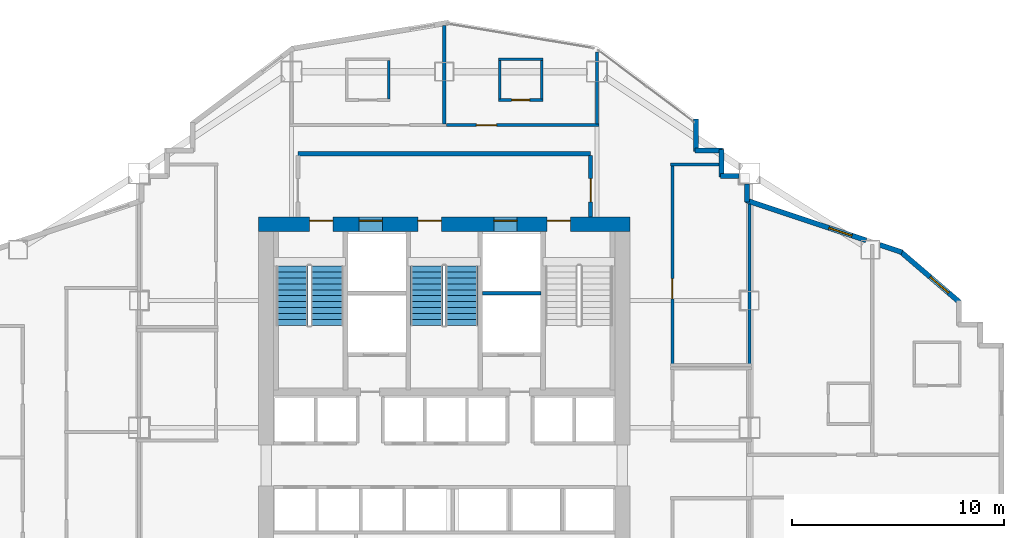
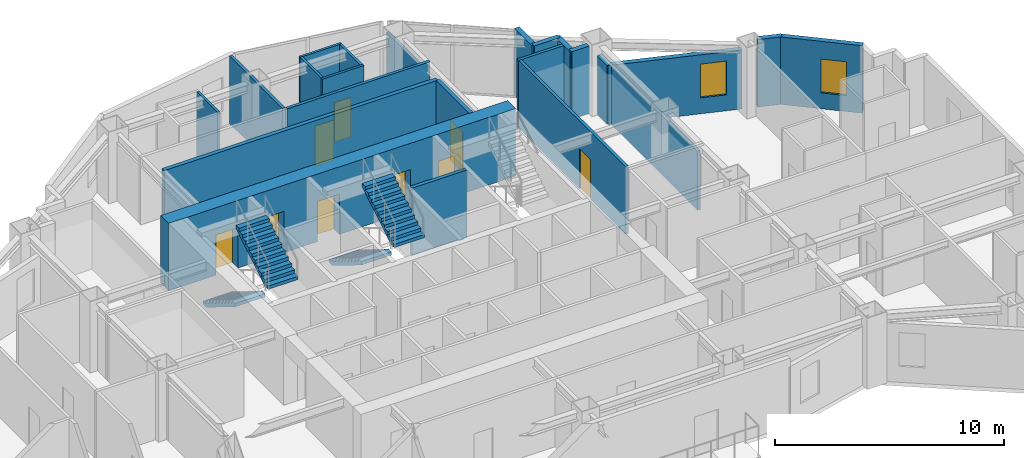
# One storey, part 10 of 14: 23 walls, 9 doors, 4 stair flights, 2 windows, 11 openings, 2 elements without a shape of their own.
"""IFC4 building model written with IfcOpenShell, lengths in metres."""

from ifc_helpers import new_model, si_unit, direction, frame, frame_2d, origin, place, context, subcontext, project, spatial, polyline, rectangle, outline, extrude, material, layer, layer_set, type_object, element, fill, aggregate, save


model = new_model("IFC4")

# Units and contexts
model_context = context("Model", 3, precision=1e-05, world=origin(), true_north=direction((0.0, 1.0)))
body_context = subcontext(model_context, "Body", "Model", "MODEL_VIEW")
ifc_project = project(units=[si_unit("LENGTHUNIT", "METRE"), si_unit("AREAUNIT", "SQUARE_METRE"), si_unit("VOLUMEUNIT", "CUBIC_METRE"), si_unit("PLANEANGLEUNIT", "RADIAN"), si_unit("MASSUNIT", "GRAM", prefix="KILO")], contexts=[model_context])

# Site, building, storey
site_placement = place(None, origin())
site = spatial("IfcSite", under=ifc_project, at=site_placement, CompositionType="ELEMENT")
building_placement = place(site_placement, origin())
building = spatial("IfcBuilding", under=site, at=building_placement, Name="Haolan Belvedere Tower", CompositionType="ELEMENT")
storey_placement = place(building_placement, frame((0.0, 0.0, 98.39990234375)))
storey = spatial("IfcBuildingStorey", under=building, at=storey_placement, Name="L24", CompositionType="ELEMENT", Elevation=98.39990234375)

# Wall, openings, doors
ifc_material_1 = material(Name="Concrete C60/75", Category="concrete")
ifc_layer_1 = layer(ifc_material_1, 0.699951171875, Name="Concrete C60/75")
ifc_layer_set_1 = layer_set([ifc_layer_1], Name="Concrete C60/75")
wall_type_1 = type_object("IfcWallType", Name="WL-CORE-700", PredefinedType="SHEAR", material=ifc_layer_set_1)
wall_1_placement = place(storey_placement, frame((29.64990234375, 43.199951171875, 0.0), z_axis=(0.0, 0.0, 1.0), x_axis=(1.0, 0.0, 0.0)))
wall_1 = element("IfcWall", 1, at=wall_1_placement, inside=storey, type_object=wall_type_1, Name="L24 central core north shear wall", PredefinedType="SHEAR", context=body_context, shape_type="SweptSolid", body=[
    extrude(rectangle(XDim=17.5, YDim=0.699951171875, at=frame_2d((8.75, 0.0))), origin(), (0.0, 0.0, 1.0), 3.60009765625),
])
opening_1_placement = place(wall_1_placement, frame((2.39990234375, 0.0, 0.0)))
opening_1 = element("IfcOpeningElement", 2, at=opening_1_placement, cuts=wall_1, Name="Opening FD-03", PredefinedType="OPENING", context=body_context, shape_type="SweptSolid", body=[
    extrude(rectangle(XDim=1.10009765625, YDim=2.14990234375, at=frame_2d((0.550048828125, 1.074951171875))), frame((0.0, 0.35986328125, 0.0), z_axis=(0.0, -1.0, 0.0), x_axis=(1.0, 0.0, 0.0)), (0.0, 0.0, 1.0), 0.719970703125),
])
opening_2_placement = place(wall_1_placement, frame((7.510009765625, 0.0, 0.0)))
opening_2 = element("IfcOpeningElement", 3, at=opening_2_placement, cuts=wall_1, Name="Opening FD-03", PredefinedType="OPENING", context=body_context, shape_type="SweptSolid", body=[
    extrude(rectangle(XDim=1.10009765625, YDim=2.14990234375, at=frame_2d((0.550048828125, 1.074951171875))), frame((0.0, 0.35986328125, 0.0), z_axis=(0.0, -1.0, 0.0), x_axis=(1.0, 0.0, 0.0)), (0.0, 0.0, 1.0), 0.719970703125),
])
opening_3_placement = place(wall_1_placement, frame((13.60009765625, 0.0, 0.0)))
opening_3 = element("IfcOpeningElement", 4, at=opening_3_placement, cuts=wall_1, Name="Opening FD-03", PredefinedType="OPENING", context=body_context, shape_type="SweptSolid", body=[
    extrude(rectangle(XDim=1.10009765625, YDim=2.14990234375, at=frame_2d((0.550048828125, 1.074951171875))), frame((0.0, 0.35986328125, 0.0), z_axis=(0.0, -1.0, 0.0), x_axis=(1.0, 0.0, 0.0)), (0.0, 0.0, 1.0), 0.719970703125),
])
opening_4_placement = place(wall_1_placement, frame((4.72998046875, 0.0, 0.0)))
opening_4 = element("IfcOpeningElement", 5, at=opening_4_placement, cuts=wall_1, Name="Opening LD-01", PredefinedType="OPENING", context=body_context, shape_type="SweptSolid", body=[
    extrude(rectangle(XDim=1.10009765625, YDim=2.199951171875, at=frame_2d((0.550048828125, 1.10009765625))), frame((0.0, 0.35986328125, 0.0), z_axis=(0.0, -1.0, 0.0), x_axis=(1.0, 0.0, 0.0)), (0.0, 0.0, 1.0), 0.719970703125),
])
opening_5_placement = place(wall_1_placement, frame((11.090087890625, 0.0, 0.0)))
opening_5 = element("IfcOpeningElement", 6, at=opening_5_placement, cuts=wall_1, Name="Opening LD-01", PredefinedType="OPENING", context=body_context, shape_type="SweptSolid", body=[
    extrude(rectangle(XDim=1.10009765625, YDim=2.199951171875, at=frame_2d((0.550048828125, 1.10009765625))), frame((0.0, 0.35986328125, 0.0), z_axis=(0.0, -1.0, 0.0), x_axis=(1.0, 0.0, 0.0)), (0.0, 0.0, 1.0), 0.719970703125),
])
ifc_material_2 = material(Name="Galvanised fire-rated steel", Category="steel")
door_type_1 = type_object("IfcDoorType", Name="DR-FD90-1100", OperationType="NOTDEFINED", PredefinedType="DOOR", material=ifc_material_2)
door_1_placement = place(opening_1_placement, origin())
door_1 = element("IfcDoor", 7, at=door_1_placement, inside=storey, type_object=door_type_1, Name="L24 door CD-L24-ST1", OperationType="SINGLE_SWING_LEFT", OverallHeight=2.14990234375, OverallWidth=1.10009765625, PredefinedType="DOOR", context=body_context, shape_type="SweptSolid", body=[
    extrude(rectangle(XDim=1.10009765625, YDim=2.14990234375, at=frame_2d((0.550048828125, 1.074951171875))), frame((0.0, 0.18505859375, 0.0), z_axis=(0.0, -1.0, 0.0), x_axis=(1.0, 0.0, 0.0)), (0.0, 0.0, 1.0), 0.050048828125),
])
fill(opening_1, door_1)
door_2_placement = place(opening_2_placement, origin())
door_2 = element("IfcDoor", 8, at=door_2_placement, inside=storey, type_object=door_type_1, Name="L24 door CD-L24-ST3", OperationType="SINGLE_SWING_LEFT", OverallHeight=2.14990234375, OverallWidth=1.10009765625, PredefinedType="DOOR", context=body_context, shape_type="SweptSolid", body=[
    extrude(rectangle(XDim=1.10009765625, YDim=2.14990234375, at=frame_2d((0.550048828125, 1.074951171875))), frame((0.0, 0.18505859375, 0.0), z_axis=(0.0, -1.0, 0.0), x_axis=(1.0, 0.0, 0.0)), (0.0, 0.0, 1.0), 0.050048828125),
])
fill(opening_2, door_2)
door_3_placement = place(opening_3_placement, origin())
door_3 = element("IfcDoor", 9, at=door_3_placement, inside=storey, type_object=door_type_1, Name="L24 door CD-L24-ST2", OperationType="SINGLE_SWING_RIGHT", OverallHeight=2.14990234375, OverallWidth=1.10009765625, PredefinedType="DOOR", context=body_context, shape_type="SweptSolid", body=[
    extrude(rectangle(XDim=1.10009765625, YDim=2.14990234375, at=frame_2d((0.550048828125, 1.074951171875))), frame((0.0, 0.18505859375, 0.0), z_axis=(0.0, -1.0, 0.0), x_axis=(1.0, 0.0, 0.0)), (0.0, 0.0, 1.0), 0.050048828125),
])
fill(opening_3, door_3)
ifc_material_3 = material(Name="Brushed champagne stainless steel 316L", Category="steel")
door_type_2 = type_object("IfcDoorType", Name="DR-LIFT-1100", OperationType="SLIDING_TO_LEFT", PredefinedType="DOOR", material=ifc_material_3)
door_4_placement = place(opening_4_placement, origin())
door_4 = element("IfcDoor", 10, at=door_4_placement, inside=storey, type_object=door_type_2, Name="L24 door LD-L24-FF1", OperationType="SLIDING_TO_LEFT", OverallHeight=2.199951171875, OverallWidth=1.10009765625, PredefinedType="DOOR", context=body_context, shape_type="SweptSolid", body=[
    extrude(rectangle(XDim=1.10009765625, YDim=2.199951171875, at=frame_2d((0.550048828125, 1.10009765625))), frame((0.0, 0.18505859375, 0.0), z_axis=(0.0, -1.0, 0.0), x_axis=(1.0, 0.0, 0.0)), (0.0, 0.0, 1.0), 0.050048828125),
])
fill(opening_4, door_4)
door_5_placement = place(opening_5_placement, origin())
door_5 = element("IfcDoor", 11, at=door_5_placement, inside=storey, type_object=door_type_2, Name="L24 door LD-L24-FF2", OperationType="SLIDING_TO_LEFT", OverallHeight=2.199951171875, OverallWidth=1.10009765625, PredefinedType="DOOR", context=body_context, shape_type="SweptSolid", body=[
    extrude(rectangle(XDim=1.10009765625, YDim=2.199951171875, at=frame_2d((0.550048828125, 1.10009765625))), frame((0.0, 0.18505859375, 0.0), z_axis=(0.0, -1.0, 0.0), x_axis=(1.0, 0.0, 0.0)), (0.0, 0.0, 1.0), 0.050048828125),
])
fill(opening_5, door_5)

# Wall, opening, window
ifc_material_4 = material(Name="Precast concrete C40/50", Category="concrete")
ifc_layer_2 = layer(ifc_material_4, 0.239990234375, Name="Precast concrete C40/50")
ifc_layer_set_2 = layer_set([ifc_layer_2], Name="Precast concrete C40/50")
wall_type_2 = type_object("IfcWallType", Name="WL-EXT-240", PredefinedType="SOLIDWALL", material=ifc_layer_set_2)
wall_2_placement = place(storey_placement, frame((62.7216796875, 39.509033203125, 0.0), z_axis=(0.0, 0.0, 1.0), x_axis=(-0.759247334792, 0.650802185469, 0.0)))
wall_2 = element("IfcWall", 12, at=wall_2_placement, inside=storey, type_object=wall_type_2, Name="L24 pale-metal exterior spandrel wall 19.1", PredefinedType="SOLIDWALL", context=body_context, shape_type="SweptSolid", body=[
    extrude(rectangle(XDim=3.71923828125, YDim=0.239990234375, at=frame_2d((1.859619140625, 0.0))), origin(), (0.0, 0.0, 1.0), 3.60009765625),
])
opening_6_placement = place(wall_2_placement, frame((0.699951171875, 0.0, 0.85009765625)))
opening_6 = element("IfcOpeningElement", 13, at=opening_6_placement, cuts=wall_2, Name="Opening W-02", PredefinedType="OPENING", context=body_context, shape_type="SweptSolid", body=[
    extrude(rectangle(XDim=1.14990234375, YDim=1.800048828125, at=frame_2d((0.574951171875, 0.89990234375))), frame((0.0, 0.1298828125, 0.0), z_axis=(0.0, -1.0, 0.0), x_axis=(1.0, 0.0, 0.0)), (0.0, 0.0, 1.0), 0.260009765625),
])
ifc_material_5 = material(Name="Anodised aluminium 6063-T6 and Low-E glass", Category="aluminium")
window_type = type_object("IfcWindowType", Name="WN-DECO-Z2", PartitioningType="SINGLE_PANEL", PredefinedType="WINDOW", material=ifc_material_5)
window_1_placement = place(opening_6_placement, origin())
window_1 = element("IfcWindow", 14, at=window_1_placement, inside=storey, type_object=window_type, Name="L24 Art Deco chevron window 1", OverallHeight=1.800048828125, OverallWidth=1.14990234375, PartitioningType="SINGLE_PANEL", PredefinedType="WINDOW", context=body_context, shape_type="SweptSolid", body=[
    extrude(rectangle(XDim=1.14990234375, YDim=1.800048828125, at=frame_2d((0.574951171875, 0.89990234375))), frame((0.0, 0.030029296875, 0.0), z_axis=(0.0, -1.0, 0.0), x_axis=(1.0, 0.0, 0.0)), (0.0, 0.0, 1.0), 0.06005859375),
])
fill(opening_6, window_1)

# Wall
wall_3_placement = place(storey_placement, frame((59.991943359375, 41.876220703125, 0.0), z_axis=(0.0, 0.0, 1.0), x_axis=(-0.948661238983, 0.316293935527, 0.0)))
element("IfcWall", 15, at=wall_3_placement, inside=storey, type_object=wall_type_2, Name="L24 pale-metal exterior spandrel wall 20.1", PredefinedType="SOLIDWALL", context=body_context, shape_type="SweptSolid", body=[
    extrude(rectangle(XDim=1.10693359375, YDim=0.239990234375, at=frame_2d((0.553466796875, 0.0))), origin(), (0.0, 0.0, 1.0), 3.60009765625),
])

# Wall, opening, window
wall_4_placement = place(storey_placement, frame((58.294677734375, 42.44189453125, 0.0), z_axis=(0.0, 0.0, 1.0), x_axis=(-0.948687385027, 0.316215504823, 0.0)))
wall_4 = element("IfcWall", 16, at=wall_4_placement, inside=storey, type_object=wall_type_2, Name="L24 pale-metal exterior spandrel wall 20.2", PredefinedType="SOLIDWALL", context=body_context, shape_type="SweptSolid", body=[
    extrude(rectangle(XDim=5.973388671875, YDim=0.239990234375, at=frame_2d((2.98681640625, 0.0))), origin(), (0.0, 0.0, 1.0), 3.14501953125),
])
opening_7_placement = place(wall_4_placement, frame((0.699951171875, 0.0, 0.85009765625)))
opening_7 = element("IfcOpeningElement", 17, at=opening_7_placement, cuts=wall_4, Name="Opening W-02", PredefinedType="OPENING", context=body_context, shape_type="SweptSolid", body=[
    extrude(rectangle(XDim=1.14990234375, YDim=1.800048828125, at=frame_2d((0.574951171875, 0.89990234375))), frame((0.0, 0.1298828125, 0.0), z_axis=(0.0, -1.0, 0.0), x_axis=(1.0, 0.0, 0.0)), (0.0, 0.0, 1.0), 0.260009765625),
])
window_2_placement = place(opening_7_placement, origin())
window_2 = element("IfcWindow", 18, at=window_2_placement, inside=storey, type_object=window_type, Name="L24 Art Deco chevron window 1", OverallHeight=1.800048828125, OverallWidth=1.14990234375, PartitioningType="SINGLE_PANEL", PredefinedType="WINDOW", context=body_context, shape_type="SweptSolid", body=[
    extrude(rectangle(XDim=1.14990234375, YDim=1.800048828125, at=frame_2d((0.574951171875, 0.89990234375))), frame((0.0, 0.030029296875, 0.0), z_axis=(0.0, -1.0, 0.0), x_axis=(1.0, 0.0, 0.0)), (0.0, 0.0, 1.0), 0.06005859375),
])
fill(opening_7, window_2)

# Walls
wall_5_placement = place(storey_placement, frame((52.679931640625, 44.258544921875, 0.0), z_axis=(0.0, 0.0, 1.0), x_axis=(0.0, 1.0, 0.0)))
element("IfcWall", 19, at=wall_5_placement, inside=storey, type_object=wall_type_2, Name="L24 pale-metal exterior spandrel wall 21.1", PredefinedType="SOLIDWALL", context=body_context, shape_type="SweptSolid", body=[
    extrude(rectangle(XDim=0.849365234375, YDim=0.239990234375, at=frame_2d((0.4248046875, 0.0))), origin(), (0.0, 0.0, 1.0), 3.14501953125),
])
wall_6_placement = place(storey_placement, frame((52.30810546875, 45.47998046875, 0.0), z_axis=(0.0, 0.0, 1.0), x_axis=(-1.0, 0.0, 0.0)))
element("IfcWall", 20, at=wall_6_placement, inside=storey, type_object=wall_type_2, Name="L24 pale-metal exterior spandrel wall 22.1", PredefinedType="SOLIDWALL", context=body_context, shape_type="SweptSolid", body=[
    extrude(rectangle(XDim=0.883056640625, YDim=0.239990234375, at=frame_2d((0.44140625, 0.0))), origin(), (0.0, 0.0, 1.0), 3.60009765625),
])
wall_7_placement = place(storey_placement, frame((51.47998046875, 45.425048828125, 0.0), z_axis=(0.0, 0.0, 1.0), x_axis=(0.0, 1.0, 0.0)))
element("IfcWall", 21, at=wall_7_placement, inside=storey, type_object=wall_type_2, Name="L24 pale-metal exterior spandrel wall 23.1", PredefinedType="SOLIDWALL", context=body_context, shape_type="SweptSolid", body=[
    extrude(rectangle(XDim=1.31005859375, YDim=0.239990234375, at=frame_2d((0.655029296875, 0.0))), origin(), (0.0, 0.0, 1.0), 3.60009765625),
])
wall_8_placement = place(storey_placement, frame((51.534912109375, 46.679931640625, 0.0), z_axis=(0.0, 0.0, 1.0), x_axis=(-1.0, 0.0, 0.0)))
element("IfcWall", 22, at=wall_8_placement, inside=storey, type_object=wall_type_2, Name="L24 pale-metal exterior spandrel wall 24.1", PredefinedType="SOLIDWALL", context=body_context, shape_type="SweptSolid", body=[
    extrude(rectangle(XDim=1.309814453125, YDim=0.239990234375, at=frame_2d((0.65478515625, 0.0))), origin(), (0.0, 0.0, 1.0), 3.60009765625),
])
wall_9_placement = place(storey_placement, frame((50.280029296875, 46.625, 0.0), z_axis=(0.0, 0.0, 1.0), x_axis=(0.0, 1.0, 0.0)))
element("IfcWall", 23, at=wall_9_placement, inside=storey, type_object=wall_type_2, Name="L24 pale-metal exterior spandrel wall 25.1", PredefinedType="SOLIDWALL", context=body_context, shape_type="SweptSolid", body=[
    extrude(rectangle(XDim=1.5400390625, YDim=0.239990234375, at=frame_2d((0.77001953125, 0.0))), origin(), (0.0, 0.0, 1.0), 3.60009765625),
])
ifc_material_6 = material(Name="Concrete C40/50", Category="concrete")
ifc_layer_3 = layer(ifc_material_6, 0.199951171875, Name="Concrete C40/50")
ifc_layer_set_3 = layer_set([ifc_layer_3], Name="Concrete C40/50")
wall_type_3 = type_object("IfcWallType", Name="WL-FIRE-200", PredefinedType="SOLIDWALL", material=ifc_layer_set_3)
wall_10_placement = place(storey_placement, frame((31.5, 46.52001953125, 0.0), z_axis=(0.0, 0.0, 1.0), x_axis=(1.0, 0.0, 0.0)))
element("IfcWall", 24, at=wall_10_placement, inside=storey, type_object=wall_type_3, Name="L24 interior partition IW-L24-FFL-N", PredefinedType="SOLIDWALL", context=body_context, shape_type="SweptSolid", body=[
    extrude(rectangle(XDim=13.800048828125, YDim=0.199951171875, at=frame_2d((6.89990234375, 0.0))), origin(), (0.0, 0.0, 1.0), 3.60009765625),
])

# Wall, opening, door
wall_11_placement = place(storey_placement, frame((45.300048828125, 43.550048828125, 0.0), z_axis=(0.0, 0.0, 1.0), x_axis=(0.0, 1.0, 0.0)))
wall_11 = element("IfcWall", 25, at=wall_11_placement, inside=storey, type_object=wall_type_3, Name="L24 interior partition IW-L24-FFL-E", PredefinedType="SOLIDWALL", context=body_context, shape_type="SweptSolid", body=[
    extrude(rectangle(XDim=2.885009765625, YDim=0.199951171875, at=frame_2d((1.4423828125, 0.0))), origin(), (0.0, 0.0, 1.0), 3.60009765625),
])
opening_8_placement = place(wall_11_placement, frame((0.699951171875, 0.0, 0.0)))
opening_8 = element("IfcOpeningElement", 26, at=opening_8_placement, cuts=wall_11, Name="Opening FD-03", PredefinedType="OPENING", context=body_context, shape_type="SweptSolid", body=[
    extrude(rectangle(XDim=1.10009765625, YDim=2.14990234375, at=frame_2d((0.550048828125, 1.074951171875))), frame((0.0, 0.10986328125, 0.0), z_axis=(0.0, -1.0, 0.0), x_axis=(1.0, 0.0, 0.0)), (0.0, 0.0, 1.0), 0.219970703125),
])
door_6_placement = place(opening_8_placement, origin())
door_6 = element("IfcDoor", 27, at=door_6_placement, inside=storey, type_object=door_type_1, Name="L24 door ID-L24-FFL-DE", OperationType="SINGLE_SWING_RIGHT", OverallHeight=2.14990234375, OverallWidth=1.10009765625, PredefinedType="DOOR", context=body_context, shape_type="SweptSolid", body=[
    extrude(rectangle(XDim=1.10009765625, YDim=2.14990234375, at=frame_2d((0.550048828125, 1.074951171875))), frame((0.0, 0.02490234375, 0.0), z_axis=(0.0, -1.0, 0.0), x_axis=(1.0, 0.0, 0.0)), (0.0, 0.0, 1.0), 0.050048828125),
])
fill(opening_8, door_6)

# Wall
ifc_material_7 = material(Name="Double gypsum acoustic stud partition", Category="masonry")
ifc_layer_4 = layer(ifc_material_7, 0.14990234375, Name="Double gypsum acoustic stud partition")
ifc_layer_set_4 = layer_set([ifc_layer_4], Name="Double gypsum acoustic stud partition")
wall_type_4 = type_object("IfcWallType", Name="WL-PART-150", PredefinedType="PARTITIONING", material=ifc_layer_set_4)
wall_12_placement = place(storey_placement, frame((49.080078125, 46.02001953125, 0.0), z_axis=(0.0, 0.0, 1.0), x_axis=(1.0, 0.0, 0.0)))
element("IfcWall", 28, at=wall_12_placement, inside=storey, type_object=wall_type_4, Name="L24 interior partition IW-L24-SAL-N", PredefinedType="PARTITIONING", context=body_context, shape_type="SweptSolid", body=[
    extrude(rectangle(XDim=2.294921875, YDim=0.14990234375, at=frame_2d((1.1474609375, 0.0))), origin(), (0.0, 0.0, 1.0), 3.60009765625),
])

# Wall, opening, door
wall_13_placement = place(storey_placement, frame((49.159912109375, 36.6201171875, 0.0), z_axis=(0.0, 0.0, 1.0), x_axis=(0.0, 1.0, 0.0)))
wall_13 = element("IfcWall", 29, at=wall_13_placement, inside=storey, type_object=wall_type_4, Name="L24 interior partition IW-L24-SAL-W", PredefinedType="PARTITIONING", context=body_context, shape_type="SweptSolid", body=[
    extrude(rectangle(XDim=9.33984375, YDim=0.14990234375, at=frame_2d((4.669921875, 0.0))), origin(), (0.0, 0.0, 1.0), 3.60009765625),
])
opening_9_placement = place(wall_13_placement, frame((3.06005859375, 0.0, 0.0)))
opening_9 = element("IfcOpeningElement", 30, at=opening_9_placement, cuts=wall_13, Name="Opening ID-03", PredefinedType="OPENING", context=body_context, shape_type="SweptSolid", body=[
    extrude(rectangle(XDim=0.949951171875, YDim=2.1201171875, at=frame_2d((0.47509765625, 1.06005859375))), frame((0.0, 0.0849609375, 0.0), z_axis=(0.0, -1.0, 0.0), x_axis=(1.0, 0.0, 0.0)), (0.0, 0.0, 1.0), 0.169921875),
])
ifc_material_8 = material(Name="Painted solid-core timber", Category="wood")
door_type_3 = type_object("IfcDoorType", Name="DR-INT-950", OperationType="NOTDEFINED", PredefinedType="DOOR", material=ifc_material_8)
door_7_placement = place(opening_9_placement, origin())
door_7 = element("IfcDoor", 31, at=door_7_placement, inside=storey, type_object=door_type_3, Name="L24 door ID-L24-SAL", OperationType="SINGLE_SWING_LEFT", OverallHeight=2.1201171875, OverallWidth=0.949951171875, PredefinedType="DOOR", context=body_context, shape_type="SweptSolid", body=[
    extrude(rectangle(XDim=0.949951171875, YDim=2.1201171875, at=frame_2d((0.47509765625, 1.06005859375))), frame((0.0, 0.02490234375, 0.0), z_axis=(0.0, -1.0, 0.0), x_axis=(1.0, 0.0, 0.0)), (0.0, 0.0, 1.0), 0.050048828125),
])
fill(opening_9, door_7)

# Walls
wall_14_placement = place(storey_placement, frame((52.800048828125, 36.6201171875, 0.0), z_axis=(0.0, 0.0, 1.0), x_axis=(0.0, 1.0, 0.0)))
element("IfcWall", 32, at=wall_14_placement, inside=storey, type_object=wall_type_4, Name="L24 interior partition IW-L24-SAL-E", PredefinedType="PARTITIONING", context=body_context, shape_type="SweptSolid", body=[
    extrude(rectangle(XDim=7.542724609375, YDim=0.14990234375, at=frame_2d((3.771484375, 0.0))), origin(), (0.0, 0.0, 1.0), 3.14501953125),
])
wall_15_placement = place(storey_placement, frame((38.39990234375, 47.93994140625, 0.0), z_axis=(0.0, 0.0, 1.0), x_axis=(0.0, 1.0, 0.0)))
element("IfcWall", 33, at=wall_15_placement, inside=storey, type_object=wall_type_4, Name="L24 interior partition IW-L24-KN2-E", PredefinedType="PARTITIONING", context=body_context, shape_type="SweptSolid", body=[
    extrude(rectangle(XDim=4.632080078125, YDim=0.14990234375, at=frame_2d((2.31591796875, 0.0))), origin(), (0.0, 0.0, 1.0), 3.60009765625),
])

# Wall, opening, door
wall_16_placement = place(storey_placement, frame((38.501953125, 47.8798828125, 0.0), z_axis=(0.0, 0.0, 1.0), x_axis=(1.0, 0.0, 0.0)))
wall_16 = element("IfcWall", 34, at=wall_16_placement, inside=storey, type_object=wall_type_4, Name="L24 interior partition IW-L24-KN3-S", PredefinedType="PARTITIONING", context=body_context, shape_type="SweptSolid", body=[
    extrude(rectangle(XDim=7.197998046875, YDim=0.14990234375, at=frame_2d((3.59912109375, 0.0))), origin(), (0.0, 0.0, 1.0), 3.60009765625),
])
opening_10_placement = place(wall_16_placement, frame((1.41748046875, 0.0, 0.0)))
opening_10 = element("IfcOpeningElement", 35, at=opening_10_placement, cuts=wall_16, Name="Opening ID-02", PredefinedType="OPENING", context=body_context, shape_type="SweptSolid", body=[
    extrude(rectangle(XDim=0.949951171875, YDim=2.14990234375, at=frame_2d((0.47509765625, 1.074951171875))), frame((0.0, 0.0849609375, 0.0), z_axis=(0.0, -1.0, 0.0), x_axis=(1.0, 0.0, 0.0)), (0.0, 0.0, 1.0), 0.169921875),
])
ifc_material_9 = material(Name="Acoustic oak veneer fire-rated timber", Category="wood")
door_type_4 = type_object("IfcDoorType", Name="DR-GUEST-950", OperationType="NOTDEFINED", PredefinedType="DOOR", material=ifc_material_9)
door_8_placement = place(opening_10_placement, origin())
door_8 = element("IfcDoor", 36, at=door_8_placement, inside=storey, type_object=door_type_4, Name="L24 door ID-L24-KN3-ENT", OperationType="SINGLE_SWING_RIGHT", OverallHeight=2.14990234375, OverallWidth=0.949951171875, PredefinedType="DOOR", context=body_context, shape_type="SweptSolid", body=[
    extrude(rectangle(XDim=0.949951171875, YDim=2.14990234375, at=frame_2d((0.47509765625, 1.074951171875))), frame((0.0, 0.02490234375, 0.0), z_axis=(0.0, -1.0, 0.0), x_axis=(1.0, 0.0, 0.0)), (0.0, 0.0, 1.0), 0.050048828125),
])
fill(opening_10, door_8)

# Walls
wall_17_placement = place(storey_placement, frame((45.60009765625, 47.93994140625, 0.0), z_axis=(0.0, 0.0, 1.0), x_axis=(0.0, 1.0, 0.0)))
element("IfcWall", 37, at=wall_17_placement, inside=storey, type_object=wall_type_4, Name="L24 interior partition IW-L24-KN3-E", PredefinedType="PARTITIONING", context=body_context, shape_type="SweptSolid", body=[
    extrude(rectangle(XDim=3.39501953125, YDim=0.14990234375, at=frame_2d((1.697509765625, 0.0))), origin(), (0.0, 0.0, 1.0), 3.085205078125),
])
ifc_layer_5 = layer(ifc_material_4, 0.179931640625, Name="Precast concrete C40/50")
ifc_layer_set_5 = layer_set([ifc_layer_5], Name="Precast concrete C40/50")
wall_type_5 = type_object("IfcWallType", Name="WL-SHAFT-180", PredefinedType="SOLIDWALL", material=ifc_layer_set_5)
wall_18_placement = place(storey_placement, frame((40.195068359375, 39.949951171875, 0.0), z_axis=(0.0, 0.0, 1.0), x_axis=(1.0, 0.0, 0.0)))
element("IfcWall", 38, at=wall_18_placement, inside=storey, type_object=wall_type_5, Name="L24 interior partition IW-L24-FF2-S", PredefinedType="SOLIDWALL", context=body_context, shape_type="SweptSolid", body=[
    extrude(rectangle(XDim=2.77001953125, YDim=0.179931640625, at=frame_2d((1.385009765625, 0.0))), origin(), (0.0, 0.0, 1.0), 3.60009765625),
])
ifc_material_10 = material(Name="Moisture-resistant gypsum tile partition", Category="masonry")
ifc_layer_6 = layer(ifc_material_10, 0.1201171875, Name="Moisture-resistant gypsum tile partition")
ifc_layer_set_6 = layer_set([ifc_layer_6], Name="Moisture-resistant gypsum tile partition")
wall_type_6 = type_object("IfcWallType", Name="WL-WET-120", PredefinedType="PARTITIONING", material=ifc_layer_set_6)
wall_19_placement = place(storey_placement, frame((35.7900390625, 49.10498046875, 0.0), z_axis=(0.0, 0.0, 1.0), x_axis=(0.0, 1.0, 0.0)))
element("IfcWall", 39, at=wall_19_placement, inside=storey, type_object=wall_type_6, Name="L24 interior partition IW-L24-KN2-BE", PredefinedType="PARTITIONING", context=body_context, shape_type="SweptSolid", body=[
    extrude(rectangle(XDim=1.830078125, YDim=0.1201171875, at=frame_2d((0.9150390625, 0.0))), origin(), (0.0, 0.0, 1.0), 3.60009765625),
])
wall_20_placement = place(storey_placement, frame((40.949951171875, 50.97998046875, 0.0), z_axis=(0.0, 0.0, 1.0), x_axis=(1.0, 0.0, 0.0)))
element("IfcWall", 40, at=wall_20_placement, inside=storey, type_object=wall_type_6, Name="L24 interior partition IW-L24-KN3-BN", PredefinedType="PARTITIONING", context=body_context, shape_type="SweptSolid", body=[
    extrude(rectangle(XDim=2.10009765625, YDim=0.1201171875, at=frame_2d((1.050048828125, 0.0))), origin(), (0.0, 0.0, 1.0), 3.60009765625),
])

# Wall, opening, door
wall_21_placement = place(storey_placement, frame((40.949951171875, 49.06005859375, 0.0), z_axis=(0.0, 0.0, 1.0), x_axis=(1.0, 0.0, 0.0)))
wall_21 = element("IfcWall", 41, at=wall_21_placement, inside=storey, type_object=wall_type_6, Name="L24 interior partition IW-L24-KN3-BS", PredefinedType="PARTITIONING", context=body_context, shape_type="SweptSolid", body=[
    extrude(rectangle(XDim=2.10009765625, YDim=0.1201171875, at=frame_2d((1.050048828125, 0.0))), origin(), (0.0, 0.0, 1.0), 3.60009765625),
])
opening_11_placement = place(wall_21_placement, frame((0.625, 0.0, 0.0)))
opening_11 = element("IfcOpeningElement", 42, at=opening_11_placement, cuts=wall_21, Name="Opening ID-05", PredefinedType="OPENING", context=body_context, shape_type="SweptSolid", body=[
    extrude(rectangle(XDim=0.85009765625, YDim=2.10009765625, at=frame_2d((0.425048828125, 1.050048828125))), frame((0.0, 0.070068359375, 0.0), z_axis=(0.0, -1.0, 0.0), x_axis=(1.0, 0.0, 0.0)), (0.0, 0.0, 1.0), 0.14013671875),
])
ifc_material_11 = material(Name="Moisture-resistant lacquered timber", Category="wood")
door_type_5 = type_object("IfcDoorType", Name="DR-BATH-850", OperationType="NOTDEFINED", PredefinedType="DOOR", material=ifc_material_11)
door_9_placement = place(opening_11_placement, origin())
door_9 = element("IfcDoor", 43, at=door_9_placement, inside=storey, type_object=door_type_5, Name="L24 door ID-L24-KN3-BATH", OperationType="SINGLE_SWING_LEFT", OverallHeight=2.10009765625, OverallWidth=0.85009765625, PredefinedType="DOOR", context=body_context, shape_type="SweptSolid", body=[
    extrude(rectangle(XDim=0.85009765625, YDim=2.10009765625, at=frame_2d((0.425048828125, 1.050048828125))), frame((0.0, 0.02490234375, 0.0), z_axis=(0.0, -1.0, 0.0), x_axis=(1.0, 0.0, 0.0)), (0.0, 0.0, 1.0), 0.050048828125),
])
fill(opening_11, door_9)

# Walls
for number, where, z_axis, x_axis, name in (
    (44, (41.010009765625, 49.10498046875, 0.0), (0.0, 0.0, 1.0), (0.0, 1.0, 0.0), "L24 interior partition IW-L24-KN3-BW"),
    (45, (42.989990234375, 49.10498046875, 0.0), (0.0, 0.0, 1.0), (0.0, 1.0, 0.0), "L24 interior partition IW-L24-KN3-BE"),
):
    element("IfcWall", number, at=place(storey_placement, frame(where, z_axis=z_axis, x_axis=x_axis)), inside=storey, type_object=wall_type_6, Name=name, PredefinedType="PARTITIONING", context=body_context, shape_type="SweptSolid", body=[
        extrude(rectangle(XDim=1.830078125, YDim=0.1201171875, at=frame_2d((0.9150390625, 0.0))), origin(), (0.0, 0.0, 1.0), 3.60009765625),
    ])

# Stair, stair flights
stair_type = type_object("IfcStairType", Name="STR-DL-22R-173", PredefinedType="HALF_TURN_STAIR", material=ifc_material_6)
stair_1_placement = place(storey_placement, origin())
stair_1 = element("IfcStair", 46, at=stair_1_placement, inside=storey, type_object=stair_type, Name="L24 Smokeproof Core Exit Stair ST1", PredefinedType="HALF_TURN_STAIR")
stair_flight_type = type_object("IfcStairFlightType", Name="SFL-DL-11R-173", PredefinedType="STRAIGHT", material=ifc_material_6)
stair_flight_1_placement = place(storey_placement, frame((31.2099609375, 41.22998046875, 0.0), z_axis=(0.0, 0.0, 1.0), x_axis=(0.0, -1.0, 0.0)))
stair_flight_1 = element("IfcStairFlight", 47, at=stair_flight_1_placement, type_object=stair_flight_type, Name="ST1 flight 1", NumberOfRisers=11, NumberOfTreads=10, PredefinedType="STRAIGHT", RiserHeight=0.172727273, TreadLength=0.28, context=body_context, shape_type="SweptSolid", body=[
    extrude(outline(polyline([(0.0, 0.0), (0.0, 0.172607421875), (0.280029296875, 0.172607421875), (0.280029296875, 0.345458984375), (0.56005859375, 0.345458984375), (0.56005859375, 0.51806640625), (0.840087890625, 0.51806640625), (0.840087890625, 0.69091796875), (1.1201171875, 0.69091796875), (1.1201171875, 0.863525390625), (1.39990234375, 0.863525390625), (1.39990234375, 1.036376953125), (1.679931640625, 1.036376953125), (1.679931640625, 1.208984375), (1.9599609375, 1.208984375), (1.9599609375, 1.3818359375), (2.239990234375, 1.3818359375), (2.239990234375, 1.554443359375), (2.52001953125, 1.554443359375), (2.52001953125, 1.727294921875), (2.800048828125, 1.727294921875), (2.800048828125, 1.89990234375), (2.800048828125, 1.551025390625), (0.285400390625, 0.0), (0.0, 0.0)])), frame((0.0, 0.760009765625, 0.0), z_axis=(0.0, -1.0, 0.0), x_axis=(1.0, 0.0, 0.0)), (0.0, 0.0, 1.0), 1.52001953125),
])
stair_flight_2_placement = place(storey_placement, frame((32.8701171875, 38.429931640625, 1.900146484375), z_axis=(0.0, 0.0, 1.0), x_axis=(0.0, 1.0, 0.0)))
stair_flight_2 = element("IfcStairFlight", 48, at=stair_flight_2_placement, type_object=stair_flight_type, Name="ST1 flight 2", NumberOfRisers=11, NumberOfTreads=10, PredefinedType="STRAIGHT", RiserHeight=0.172727273, TreadLength=0.28, context=body_context, shape_type="SweptSolid", body=[
    extrude(outline(polyline([(0.0, 0.0), (0.0, 0.172607421875), (0.280029296875, 0.172607421875), (0.280029296875, 0.345458984375), (0.56005859375, 0.345458984375), (0.56005859375, 0.51806640625), (0.840087890625, 0.51806640625), (0.840087890625, 0.69091796875), (1.1201171875, 0.69091796875), (1.1201171875, 0.863525390625), (1.39990234375, 0.863525390625), (1.39990234375, 1.036376953125), (1.679931640625, 1.036376953125), (1.679931640625, 1.208984375), (1.9599609375, 1.208984375), (1.9599609375, 1.3818359375), (2.239990234375, 1.3818359375), (2.239990234375, 1.554443359375), (2.52001953125, 1.554443359375), (2.52001953125, 1.727294921875), (2.800048828125, 1.727294921875), (2.800048828125, 1.89990234375), (2.800048828125, 1.551025390625), (0.285400390625, 0.0), (0.0, 0.0)])), frame((0.0, 0.760009765625, 0.0), z_axis=(0.0, -1.0, 0.0), x_axis=(1.0, 0.0, 0.0)), (0.0, 0.0, 1.0), 1.52001953125),
])
aggregate(stair_1, [stair_flight_1, stair_flight_2])

stair_2_placement = place(storey_placement, origin())
stair_2 = element("IfcStair", 49, at=stair_2_placement, inside=storey, type_object=stair_type, Name="L24 Smokeproof Core Exit Stair ST3", PredefinedType="HALF_TURN_STAIR")
stair_flight_3_placement = place(storey_placement, frame((37.570068359375, 41.22998046875, 0.0), z_axis=(0.0, 0.0, 1.0), x_axis=(0.0, -1.0, 0.0)))
stair_flight_3 = element("IfcStairFlight", 50, at=stair_flight_3_placement, type_object=stair_flight_type, Name="ST3 flight 1", NumberOfRisers=11, NumberOfTreads=10, PredefinedType="STRAIGHT", RiserHeight=0.172727273, TreadLength=0.28, context=body_context, shape_type="SweptSolid", body=[
    extrude(outline(polyline([(0.0, 0.0), (0.0, 0.172607421875), (0.280029296875, 0.172607421875), (0.280029296875, 0.345458984375), (0.56005859375, 0.345458984375), (0.56005859375, 0.51806640625), (0.840087890625, 0.51806640625), (0.840087890625, 0.69091796875), (1.1201171875, 0.69091796875), (1.1201171875, 0.863525390625), (1.39990234375, 0.863525390625), (1.39990234375, 1.036376953125), (1.679931640625, 1.036376953125), (1.679931640625, 1.208984375), (1.9599609375, 1.208984375), (1.9599609375, 1.3818359375), (2.239990234375, 1.3818359375), (2.239990234375, 1.554443359375), (2.52001953125, 1.554443359375), (2.52001953125, 1.727294921875), (2.800048828125, 1.727294921875), (2.800048828125, 1.89990234375), (2.800048828125, 1.551025390625), (0.285400390625, 0.0), (0.0, 0.0)])), frame((0.0, 0.760009765625, 0.0), z_axis=(0.0, -1.0, 0.0), x_axis=(1.0, 0.0, 0.0)), (0.0, 0.0, 1.0), 1.52001953125),
])
stair_flight_4_placement = place(storey_placement, frame((39.22998046875, 38.429931640625, 1.900146484375), z_axis=(0.0, 0.0, 1.0), x_axis=(0.0, 1.0, 0.0)))
stair_flight_4 = element("IfcStairFlight", 51, at=stair_flight_4_placement, type_object=stair_flight_type, Name="ST3 flight 2", NumberOfRisers=11, NumberOfTreads=10, PredefinedType="STRAIGHT", RiserHeight=0.172727273, TreadLength=0.28, context=body_context, shape_type="SweptSolid", body=[
    extrude(outline(polyline([(0.0, 0.0), (0.0, 0.172607421875), (0.280029296875, 0.172607421875), (0.280029296875, 0.345458984375), (0.56005859375, 0.345458984375), (0.56005859375, 0.51806640625), (0.840087890625, 0.51806640625), (0.840087890625, 0.69091796875), (1.1201171875, 0.69091796875), (1.1201171875, 0.863525390625), (1.39990234375, 0.863525390625), (1.39990234375, 1.036376953125), (1.679931640625, 1.036376953125), (1.679931640625, 1.208984375), (1.9599609375, 1.208984375), (1.9599609375, 1.3818359375), (2.239990234375, 1.3818359375), (2.239990234375, 1.554443359375), (2.52001953125, 1.554443359375), (2.52001953125, 1.727294921875), (2.800048828125, 1.727294921875), (2.800048828125, 1.89990234375), (2.800048828125, 1.551025390625), (0.285400390625, 0.0), (0.0, 0.0)])), frame((0.0, 0.760009765625, 0.0), z_axis=(0.0, -1.0, 0.0), x_axis=(1.0, 0.0, 0.0)), (0.0, 0.0, 1.0), 1.52001953125),
])
aggregate(stair_2, [stair_flight_3, stair_flight_4])

save(model, "model.ifc")
